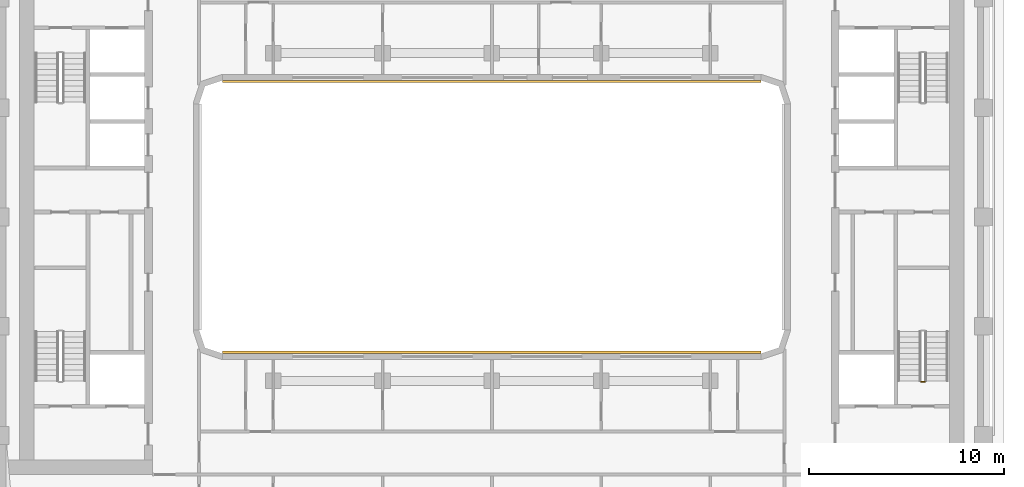
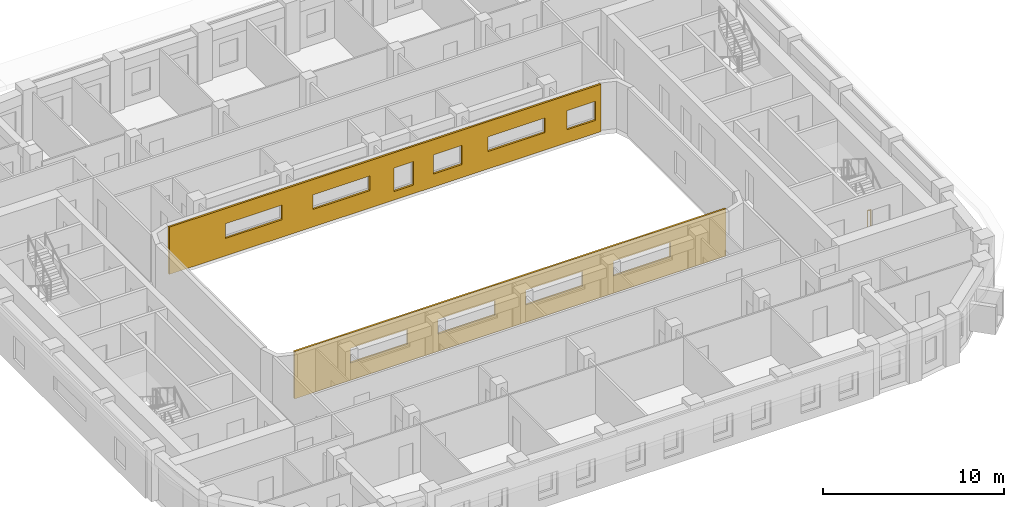
# One storey, part 15 of 21: 2 coverings, 1 railing.
"""IFC4 building model written with IfcOpenShell, lengths in metres."""

from ifc_helpers import new_model, si_unit, direction, frame, origin, origin_2d, place, context, subcontext, project, spatial, polyline, circle, outline, extrude, material, layer, layer_set, type_object, element, save


model = new_model("IFC4")

# Units and contexts
model_context = context("Model", 3, precision=1e-05, world=origin(), true_north=direction((0.0, 1.0)))
body_context = subcontext(model_context, "Body", "Model", "MODEL_VIEW")
ifc_project = project(units=[si_unit("LENGTHUNIT", "METRE"), si_unit("AREAUNIT", "SQUARE_METRE"), si_unit("VOLUMEUNIT", "CUBIC_METRE"), si_unit("PLANEANGLEUNIT", "RADIAN"), si_unit("MASSUNIT", "GRAM", prefix="KILO")], contexts=[model_context])

# Site, building, storey
site_placement = place(None, origin())
site = spatial("IfcSite", under=ifc_project, at=site_placement, CompositionType="ELEMENT")
building_placement = place(site_placement, origin())
building = spatial("IfcBuilding", under=site, at=building_placement, Name="Kiln Ring Residences", CompositionType="ELEMENT")
storey_placement = place(building_placement, frame((0.0, 0.0, 202.89990234375)))
storey = spatial("IfcBuildingStorey", under=building, at=storey_placement, Name="L52", CompositionType="ELEMENT", Elevation=202.89990234375)

# Railing
ifc_material_1 = material(Name="Stainless steel", Category="steel")
railing_type = type_object("IfcRailingType", Name="CORE-STAIR-GUARD", PredefinedType="GUARDRAIL", material=ifc_material_1)
railing_placement = place(storey_placement, frame((22.199951171875, -8.449951171875, 0.0)))
element("IfcRailing", 1, at=railing_placement, inside=storey, type_object=railing_type, Name="L52 E-STS stair guard 4", PredefinedType="GUARDRAIL", context=body_context, shape_type="SweptSolid", body=[
    extrude(circle(Radius=0.02392578125, at=origin_2d()), frame((0.0, 0.0, 1.076171875), z_axis=(-1.0, 0.0, 0.0), x_axis=(0.0, -1.0, 0.0)), (0.0, 0.0, 1.0), 0.199951171875),
    extrude(circle(Radius=0.02099609375, at=origin_2d()), origin(), (0.0, 0.0, 1.0), 1.052001953125),
    extrude(circle(Radius=0.02099609375, at=origin_2d()), frame((-0.199951171875, 0.0, 0.0)), (0.0, 0.0, 1.0), 1.052001953125),
])

# Coverings
ifc_material_2 = material(Name="Brick masonry, dark clay brick", Category="masonry")
ifc_layer = layer(ifc_material_2, 0.1201171875)
ifc_layer_set = layer_set([ifc_layer], Name="RAINSCREEN PANEL 120")
covering_type = type_object("IfcCoveringType", Name="RAINSCREEN PANEL 120", PredefinedType="CLADDING", material=ifc_layer_set)
covering_1_placement = place(storey_placement, frame((-13.800048828125, 6.93994140625, 0.0), z_axis=(0.0, 0.0, 1.0), x_axis=(1.0, 0.0, 0.0)))
element("IfcCovering", 2, at=covering_1_placement, inside=storey, type_object=covering_type, Name="RAINSCREEN L52", PredefinedType="CLADDING", context=body_context, shape_type="SweptSolid", body=[
    extrude(outline(polyline([(0.0, 0.0), (27.60009765625, 0.0), (27.60009765625, 3.2001953125), (0.0, 3.2001953125), (0.0, 0.0)]), holes=[polyline([(15.6201171875, 0.580078125), (15.6201171875, 2.170166015625), (14.3798828125, 2.170166015625), (14.3798828125, 0.580078125), (15.6201171875, 0.580078125)]), polyline([(16.8798828125, 0.880126953125), (18.719970703125, 0.880126953125), (18.719970703125, 2.170166015625), (16.8798828125, 2.170166015625), (16.8798828125, 0.880126953125)]), polyline([(25.41748046875, 0.880126953125), (27.257568359375, 0.880126953125), (27.257568359375, 2.170166015625), (25.41748046875, 2.170166015625), (25.41748046875, 0.880126953125)]), polyline([(7.219970703125, 1.18017578125), (7.219970703125, 2.170166015625), (3.580078125, 2.170166015625), (3.580078125, 1.18017578125), (7.219970703125, 1.18017578125)]), polyline([(9.179931640625, 1.18017578125), (12.820068359375, 1.18017578125), (12.820068359375, 2.170166015625), (9.179931640625, 2.170166015625), (9.179931640625, 1.18017578125)]), polyline([(20.3798828125, 1.18017578125), (24.02001953125, 1.18017578125), (24.02001953125, 2.170166015625), (20.3798828125, 2.170166015625), (20.3798828125, 1.18017578125)])]), frame((0.0, 0.06005859375, 0.0), z_axis=(0.0, -1.0, 0.0), x_axis=(1.0, 0.0, 0.0)), (0.0, 0.0, 1.0), 0.1201171875),
])
covering_2_placement = place(storey_placement, frame((13.800048828125, -6.93994140625, 0.0), z_axis=(0.0, 0.0, 1.0), x_axis=(-1.0, 0.0, 0.0)))
element("IfcCovering", 3, at=covering_2_placement, inside=storey, type_object=covering_type, Name="RAINSCREEN L52", PredefinedType="CLADDING", context=body_context, shape_type="SweptSolid", body=[
    extrude(outline(polyline([(0.0, 0.0), (27.60009765625, 0.0), (27.60009765625, 3.2001953125), (0.0, 3.2001953125), (0.0, 0.0)]), holes=[polyline([(7.219970703125, 1.18017578125), (7.219970703125, 2.170166015625), (3.580078125, 2.170166015625), (3.580078125, 1.18017578125), (7.219970703125, 1.18017578125)]), polyline([(12.820068359375, 1.18017578125), (12.820068359375, 2.170166015625), (9.179931640625, 2.170166015625), (9.179931640625, 1.18017578125), (12.820068359375, 1.18017578125)]), polyline([(18.419921875, 1.18017578125), (18.419921875, 2.170166015625), (14.780029296875, 2.170166015625), (14.780029296875, 1.18017578125), (18.419921875, 1.18017578125)]), polyline([(24.02001953125, 1.18017578125), (24.02001953125, 2.170166015625), (20.3798828125, 2.170166015625), (20.3798828125, 1.18017578125), (24.02001953125, 1.18017578125)])]), frame((0.0, 0.06005859375, 0.0), z_axis=(0.0, -1.0, 0.0), x_axis=(1.0, 0.0, 0.0)), (0.0, 0.0, 1.0), 0.1201171875),
])

save(model, "model.ifc")
